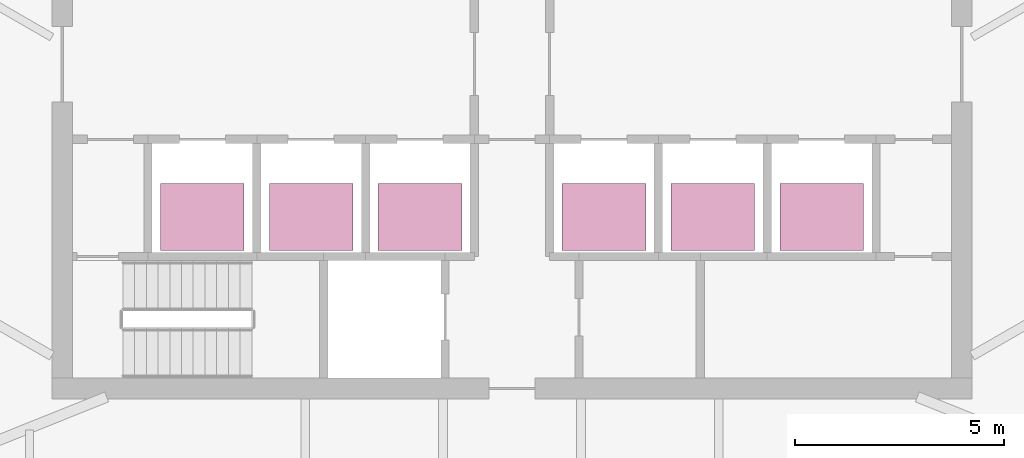
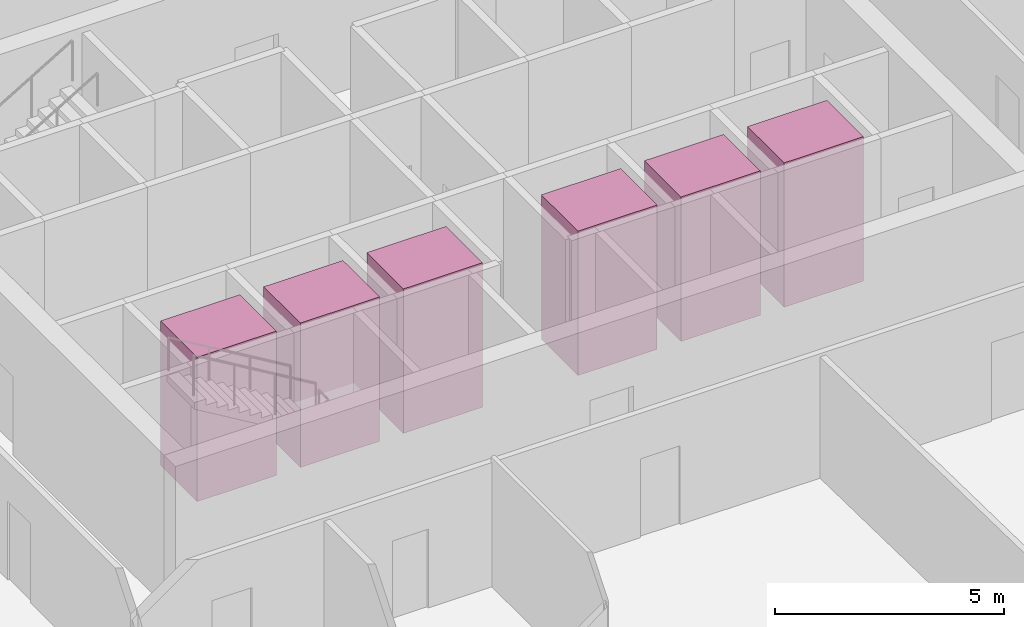
# One storey, part 16 of 16: 6 transport elements.
"""IFC4 building model written with IfcOpenShell, lengths in metres."""

from ifc_helpers import new_model, si_unit, direction, frame, origin, origin_2d, place, context, subcontext, project, spatial, rectangle, extrude, material, type_object, element, save


model = new_model("IFC4")

# Units and contexts
model_context = context("Model", 3, precision=1e-05, world=origin(), true_north=direction((0.0, 1.0)))
body_context = subcontext(model_context, "Body", "Model", "MODEL_VIEW")
ifc_project = project(units=[si_unit("LENGTHUNIT", "METRE"), si_unit("AREAUNIT", "SQUARE_METRE"), si_unit("VOLUMEUNIT", "CUBIC_METRE"), si_unit("PLANEANGLEUNIT", "RADIAN"), si_unit("MASSUNIT", "GRAM", prefix="KILO")], contexts=[model_context])

# Site, building, storey
site_placement = place(None, origin())
site = spatial("IfcSite", under=ifc_project, at=site_placement, CompositionType="ELEMENT")
building_placement = place(site_placement, origin())
building = spatial("IfcBuilding", under=site, at=building_placement, Name="Sierra Prisma Convention Tower", CompositionType="ELEMENT")
storey_placement = place(building_placement, frame((0.0, 0.0, 197.800048828125)))
storey = spatial("IfcBuildingStorey", under=building, at=storey_placement, Name="L44", CompositionType="ELEMENT", Elevation=197.800048828125)

# Transport elements
ifc_material = material(Name="Stainless steel", Category="steel")
transport_element_type = type_object("IfcTransportElementType", Name="Lift car office low 2000x1600 1600 kg", PredefinedType="ELEVATOR", material=ifc_material)
for number, where, z_axis, x_axis, name in (
    (1, (-7.39990234375, -3.64990234375, 0.0), (0.0, 0.0, 1.0), (1.0, 0.0, 0.0), "Lift OL1"),
    (2, (-4.800048828125, -3.64990234375, 0.0), (0.0, 0.0, 1.0), (1.0, 0.0, 0.0), "Lift OL2"),
    (3, (-2.199951171875, -3.64990234375, 0.0), (0.0, 0.0, 1.0), (1.0, 0.0, 0.0), "Lift OL3"),
    (4, (2.199951171875, -3.64990234375, 0.0), (0.0, 0.0, 1.0), (1.0, 0.0, 0.0), "Lift OL4"),
    (5, (4.800048828125, -3.64990234375, 0.0), (0.0, 0.0, 1.0), (1.0, 0.0, 0.0), "Lift OL5"),
    (6, (7.39990234375, -3.64990234375, 0.0), (0.0, 0.0, 1.0), (1.0, 0.0, 0.0), "Lift OL6"),
):
    element("IfcTransportElement", number, at=place(storey_placement, frame(where, z_axis=z_axis, x_axis=x_axis)), inside=storey, type_object=transport_element_type, Name=name, PredefinedType="ELEVATOR", context=body_context, shape_type="SweptSolid", body=[
        extrude(rectangle(XDim=2.0, YDim=1.60009765625, at=origin_2d()), origin(), (0.0, 0.0, 1.0), 3.85009765625),
    ])

save(model, "model.ifc")
